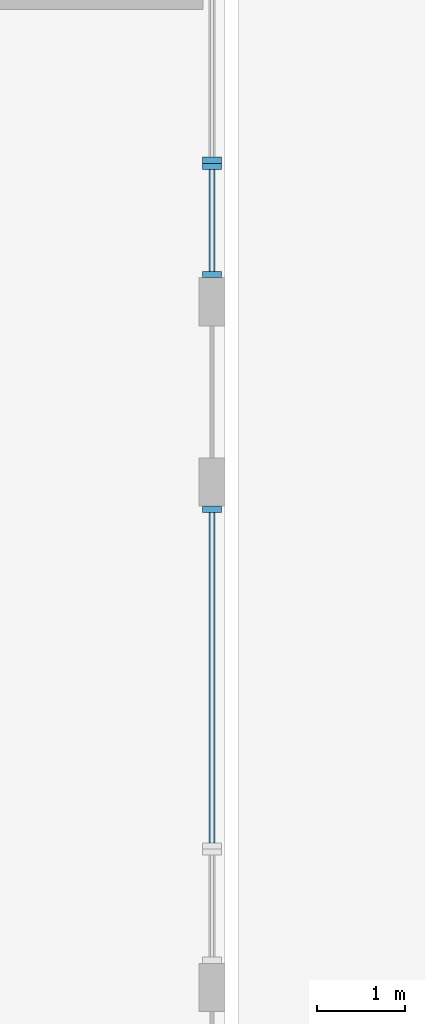
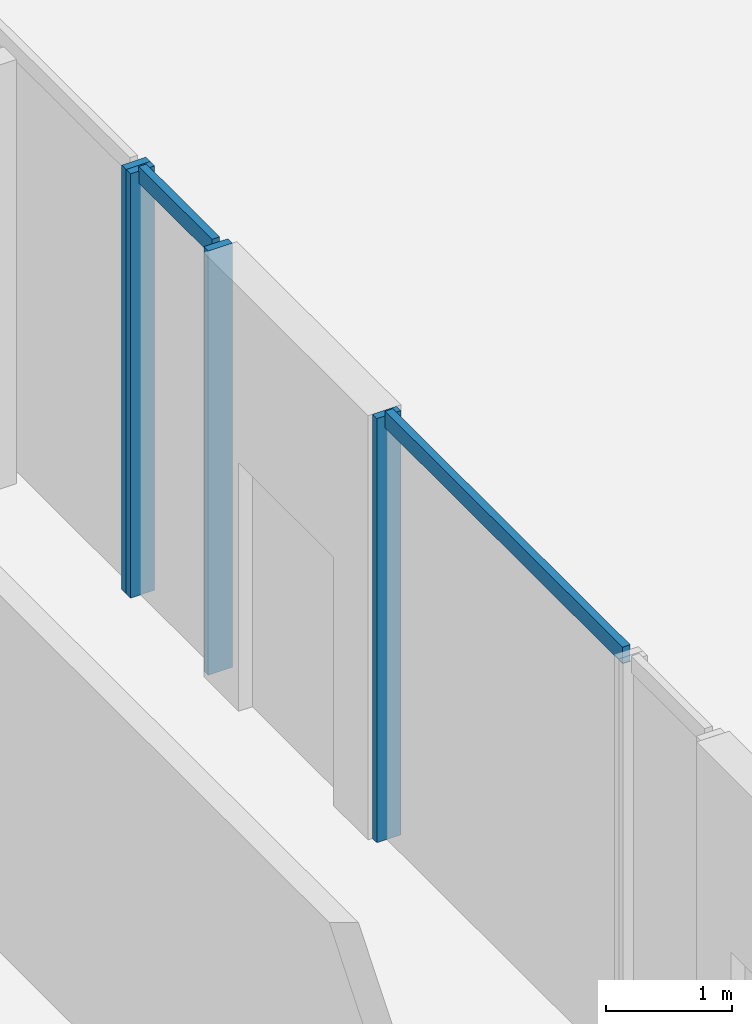
# One storey, part 6 of 38: 6 members, 3 elements without a shape of their own.
"""IFC4 building model written with IfcOpenShell, lengths in metres."""

from ifc_helpers import new_model, si_unit, direction, frame, origin, origin_2d, place, context, subcontext, project, spatial, rectangle, extrude, source, transform, mapped, material, material_profile, profile_set, type_object, element, aggregate, save


model = new_model("IFC4")

# Units and contexts
model_context = context("Model", 3, precision=1e-05, world=origin(), true_north=direction((0.0, 1.0)))
body_context = subcontext(model_context, "Body", "Model", "MODEL_VIEW")
ifc_project = project(units=[si_unit("LENGTHUNIT", "METRE"), si_unit("AREAUNIT", "SQUARE_METRE"), si_unit("VOLUMEUNIT", "CUBIC_METRE"), si_unit("PLANEANGLEUNIT", "RADIAN"), si_unit("MASSUNIT", "GRAM", prefix="KILO")], contexts=[model_context])

# Site, building, storey
site_placement = place(None, origin())
site = spatial("IfcSite", under=ifc_project, at=site_placement, CompositionType="ELEMENT")
building_placement = place(site_placement, origin())
building = spatial("IfcBuilding", under=site, at=building_placement, Name="Kilnfold Tower and Market Hall", CompositionType="ELEMENT")
storey_placement = place(building_placement, frame((0.0, 0.0, 9.0)))
storey = spatial("IfcBuildingStorey", under=building, at=storey_placement, Name="L01", CompositionType="ELEMENT", Elevation=9.0)

# Curtain wall, member
ifc_material_1 = material(Name="Aluminium and double glazing", Category="aluminium")
curtain_wall_type = type_object("IfcCurtainWallType", Name="CW BASE PODIUM GLAZING", PredefinedType="NOTDEFINED", material=ifc_material_1)
curtain_wall_1_placement = place(storey_placement, origin())
curtain_wall_1 = element("IfcCurtainWall", 1, at=curtain_wall_1_placement, inside=storey, type_object=curtain_wall_type, Name="Curtain wall CW4 L01 E", PredefinedType="NOTDEFINED")
ifc_material_2 = material(Name="Aluminium", Category="aluminium")
ifc_material_profile_1 = material_profile(ifc_material_2, rectangle(XDim=0.070068359375, YDim=0.219970703125, at=origin_2d()), Name="MULLION 70x220")
ifc_profile_set_1 = profile_set([ifc_material_profile_1], Name="Aluminium")
member_type_1 = type_object("IfcMemberType", Name="MULLION 70X220", PredefinedType="MULLION", material=ifc_profile_set_1)
shared_shape_1 = source(origin(), body_context, "Body", "SweptSolid", [
    extrude(rectangle(XDim=0.070068359375, YDim=0.219970703125, at=origin_2d()), origin(), (0.0, 0.0, 1.0), 4.10009765625),
])
member_1_placement = place(storey_placement, frame((27.85009765625, 16.215087890625, 0.0), z_axis=(0.0, 0.0, 1.0), x_axis=(0.0, 1.0, 0.0)))
member_1 = element("IfcMember", 2, at=member_1_placement, type_object=member_type_1, Name="CW4 mullion 2", PredefinedType="MULLION", context=body_context, shape_type="MappedRepresentation", body=[
    mapped(shared_shape_1, transform((0.0, 0.0, 0.0))),
])

# Curtain wall, members
curtain_wall_2_placement = place(storey_placement, origin())
curtain_wall_2 = element("IfcCurtainWall", 3, at=curtain_wall_2_placement, inside=storey, type_object=curtain_wall_type, Name="Curtain wall CW4 L01 E", PredefinedType="NOTDEFINED")
member_2_placement = place(storey_placement, frame((27.85009765625, 18.885009765625, 0.0), z_axis=(0.0, 0.0, 1.0), x_axis=(0.0, 1.0, 0.0)))
member_2 = element("IfcMember", 4, at=member_2_placement, type_object=member_type_1, Name="CW4 mullion 1", PredefinedType="MULLION", context=body_context, shape_type="MappedRepresentation", body=[
    mapped(shared_shape_1, transform((0.0, 0.0, 0.0))),
])
member_3_placement = place(storey_placement, frame((27.85009765625, 20.114990234375, 0.0), z_axis=(0.0, 0.0, 1.0), x_axis=(0.0, 1.0, 0.0)))
member_3 = element("IfcMember", 5, at=member_3_placement, type_object=member_type_1, Name="CW4 mullion 2", PredefinedType="MULLION", context=body_context, shape_type="MappedRepresentation", body=[
    mapped(shared_shape_1, transform((0.0, 0.0, 0.0))),
])

# Curtain wall, member
curtain_wall_3_placement = place(storey_placement, origin())
curtain_wall_3 = element("IfcCurtainWall", 6, at=curtain_wall_3_placement, inside=storey, type_object=curtain_wall_type, Name="Curtain wall CW4 L01 E", PredefinedType="NOTDEFINED")
member_4_placement = place(storey_placement, frame((27.85009765625, 20.18505859375, 0.0), z_axis=(0.0, 0.0, 1.0), x_axis=(0.0, 1.0, 0.0)))
member_4 = element("IfcMember", 7, at=member_4_placement, type_object=member_type_1, Name="CW4 mullion 1", PredefinedType="MULLION", context=body_context, shape_type="MappedRepresentation", body=[
    mapped(shared_shape_1, transform((0.0, 0.0, 0.0))),
])
aggregate(curtain_wall_3, [member_4])

# Member
ifc_material_3 = material(Name="Aluminium", Category="aluminium")
ifc_material_profile_2 = material_profile(ifc_material_3, rectangle(XDim=0.070068359375, YDim=0.159912109375, at=origin_2d()), Name="TRANSOM 70x160")
ifc_profile_set_2 = profile_set([ifc_material_profile_2], Name="Aluminium")
member_type_2 = type_object("IfcMemberType", Name="TRANSOM 70X160", PredefinedType="USERDEFINED", material=ifc_profile_set_2)
shared_shape_2 = source(origin(), body_context, "Body", "SweptSolid", [
    extrude(rectangle(XDim=0.070068359375, YDim=0.159912109375, at=origin_2d()), origin(), (0.0, 0.0, 1.0), 3.760009765625),
])
member_5_placement = place(storey_placement, frame((27.85009765625, 12.419921875, 4.06494140625), z_axis=(0.0, 1.0, 0.0), x_axis=(-1.0, 0.0, 0.0)))
member_5 = element("IfcMember", 8, at=member_5_placement, type_object=member_type_2, Name="CW4 transom 1.2", ObjectType="TRANSOM", PredefinedType="USERDEFINED", context=body_context, shape_type="MappedRepresentation", body=[
    mapped(shared_shape_2, transform((0.0, 0.0, 0.0))),
])

aggregate(curtain_wall_1, [member_1, member_5])

shared_shape_3 = source(origin(), body_context, "Body", "SweptSolid", [
    extrude(rectangle(XDim=0.070068359375, YDim=0.159912109375, at=origin_2d()), origin(), (0.0, 0.0, 1.0), 1.16015625),
])
member_6_placement = place(storey_placement, frame((27.85009765625, 18.919921875, 4.06494140625), z_axis=(0.0, 1.0, 0.0), x_axis=(-1.0, 0.0, 0.0)))
member_6 = element("IfcMember", 9, at=member_6_placement, type_object=member_type_2, Name="CW4 transom 1.2", ObjectType="TRANSOM", PredefinedType="USERDEFINED", context=body_context, shape_type="MappedRepresentation", body=[
    mapped(shared_shape_3, transform((0.0, 0.0, 0.0))),
])

aggregate(curtain_wall_2, [member_2, member_3, member_6])

save(model, "model.ifc")
